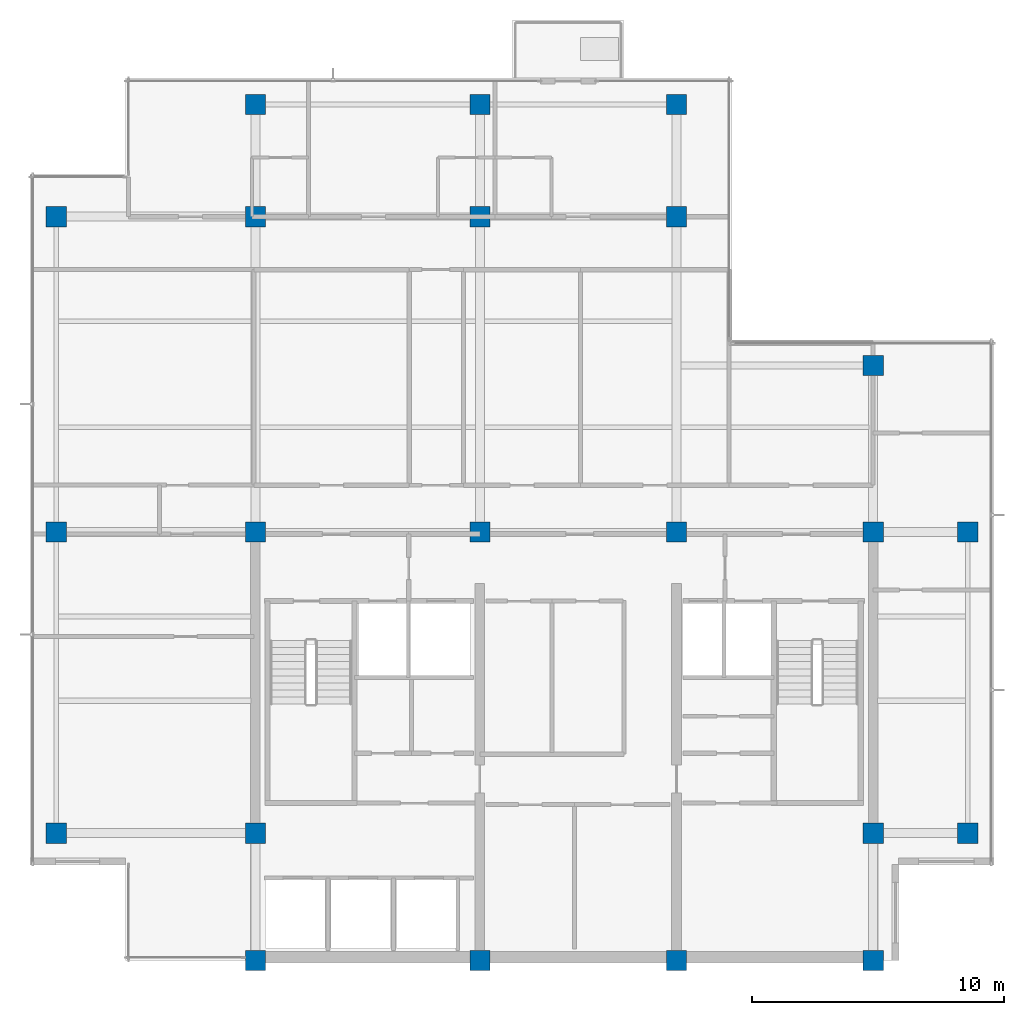
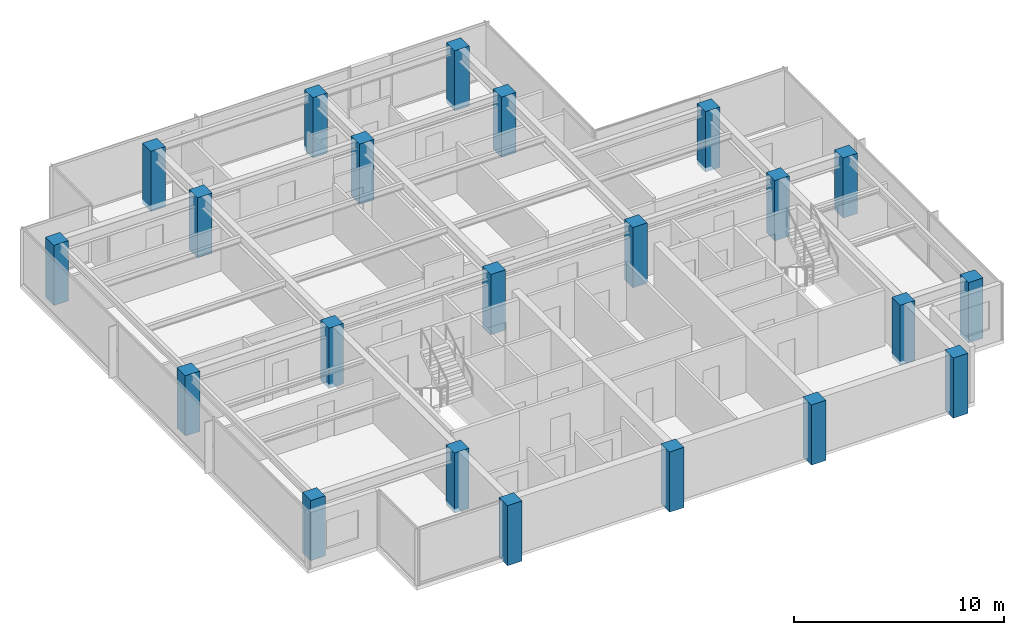
# One storey, part 1 of 11: 22 columns.
"""IFC4 building model written with IfcOpenShell, lengths in metres."""

from ifc_helpers import new_model, si_unit, direction, frame, origin, origin_2d, place, context, subcontext, project, spatial, rectangle, extrude, material, material_profile, profile_set, type_object, element, save


model = new_model("IFC4")

# Units and contexts
model_context = context("Model", 3, precision=1e-05, world=origin(), true_north=direction((0.0, 1.0)))
body_context = subcontext(model_context, "Body", "Model", "MODEL_VIEW")
ifc_project = project(units=[si_unit("LENGTHUNIT", "METRE"), si_unit("AREAUNIT", "SQUARE_METRE"), si_unit("VOLUMEUNIT", "CUBIC_METRE"), si_unit("PLANEANGLEUNIT", "RADIAN"), si_unit("MASSUNIT", "GRAM", prefix="KILO")], contexts=[model_context])

# Site, building, storey
site_placement = place(None, origin())
site = spatial("IfcSite", under=ifc_project, at=site_placement, CompositionType="ELEMENT")
building_placement = place(site_placement, origin())
building = spatial("IfcBuilding", under=site, at=building_placement, Name="Qalmaran Belvedere Hotel", CompositionType="ELEMENT")
storey_placement = place(building_placement, frame((0.0, 0.0, 270.39990234375)))
storey = spatial("IfcBuildingStorey", under=building, at=storey_placement, Name="L70", CompositionType="ELEMENT", Elevation=270.39990234375)

# Columns
ifc_material = material(Name="Concrete C50/60", Category="concrete")
ifc_material_profile = material_profile(ifc_material, rectangle(XDim=0.800048828125, YDim=0.800048828125, at=origin_2d()), Name="CC800X800")
ifc_profile_set = profile_set([ifc_material_profile], Name="Concrete C50/60")
column_type = type_object("IfcColumnType", Name="COL-Z5-CC800", PredefinedType="COLUMN", material=ifc_profile_set)
for number, where, z_axis, x_axis, name in (
    (1, (20.300048828125, 3.5, -0.239990234375), (0.0, 0.0, 1.0), (1.0, 0.0, 0.0), "L70 Column C4B"),
    (2, (29.199951171875, 3.5, -0.239990234375), (0.0, 0.0, 1.0), (1.0, 0.0, 0.0), "L70 Column C5B"),
    (3, (37.0, 3.5, -0.239990234375), (0.0, 0.0, 1.0), (1.0, 0.0, 0.0), "L70 Column C6B"),
    (4, (44.800048828125, 3.5, -0.239990234375), (0.0, 0.0, 1.0), (1.0, 0.0, 0.0), "L70 Column C7B"),
    (5, (20.300048828125, 8.550048828125, -0.239990234375), (0.0, 0.0, 1.0), (1.0, 0.0, 0.0), "L70 Column C4C"),
    (6, (44.800048828125, 8.550048828125, -0.239990234375), (0.0, 0.0, 1.0), (1.0, 0.0, 0.0), "L70 Column C7C"),
    (7, (20.300048828125, 20.5, -0.239990234375), (0.0, 0.0, 1.0), (1.0, 0.0, 0.0), "L70 Column C4D"),
    (8, (29.199951171875, 20.5, -0.239990234375), (0.0, 0.0, 1.0), (1.0, 0.0, 0.0), "L70 Column C5D"),
    (9, (37.0, 20.5, -0.239990234375), (0.0, 0.0, 1.0), (1.0, 0.0, 0.0), "L70 Column C6D"),
    (10, (44.800048828125, 20.5, -0.239990234375), (0.0, 0.0, 1.0), (1.0, 0.0, 0.0), "L70 Column C7D"),
    (11, (20.300048828125, 33.0, -0.239990234375), (0.0, 0.0, 1.0), (1.0, 0.0, 0.0), "L70 Column C4F"),
    (12, (29.199951171875, 33.0, -0.239990234375), (0.0, 0.0, 1.0), (1.0, 0.0, 0.0), "L70 Column C5F"),
    (13, (37.0, 33.0, -0.239990234375), (0.0, 0.0, 1.0), (1.0, 0.0, 0.0), "L70 Column C6F"),
    (14, (44.800048828125, 27.10009765625, -0.239990234375), (0.0, 0.0, 1.0), (1.0, 0.0, 0.0), "L70 Column C7E"),
    (15, (12.39990234375, 8.550048828125, -0.239990234375), (0.0, 0.0, 1.0), (1.0, 0.0, 0.0), "L70 Column CW1"),
    (16, (12.39990234375, 20.5, -0.239990234375), (0.0, 0.0, 1.0), (1.0, 0.0, 0.0), "L70 Column CW3"),
    (17, (12.39990234375, 33.0, -0.239990234375), (0.0, 0.0, 1.0), (1.0, 0.0, 0.0), "L70 Column CW4"),
    (18, (48.550048828125, 8.550048828125, -0.239990234375), (0.0, 0.0, 1.0), (1.0, 0.0, 0.0), "L70 Column CE1"),
    (19, (48.550048828125, 20.5, -0.239990234375), (0.0, 0.0, 1.0), (1.0, 0.0, 0.0), "L70 Column CE3"),
    (20, (20.300048828125, 37.449951171875, -0.239990234375), (0.0, 0.0, 1.0), (1.0, 0.0, 0.0), "L70 Column CN1"),
    (21, (29.199951171875, 37.449951171875, -0.239990234375), (0.0, 0.0, 1.0), (1.0, 0.0, 0.0), "L70 Column CN2"),
    (22, (37.0, 37.449951171875, -0.239990234375), (0.0, 0.0, 1.0), (1.0, 0.0, 0.0), "L70 Column CN3"),
):
    element("IfcColumn", number, at=place(storey_placement, frame(where, z_axis=z_axis, x_axis=x_axis)), inside=storey, type_object=column_type, Name=name, PredefinedType="COLUMN", context=body_context, shape_type="SweptSolid", body=[
        extrude(rectangle(XDim=0.800048828125, YDim=0.800048828125, at=origin_2d()), origin(), (0.0, 0.0, 1.0), 3.5),
    ])

save(model, "model.ifc")
